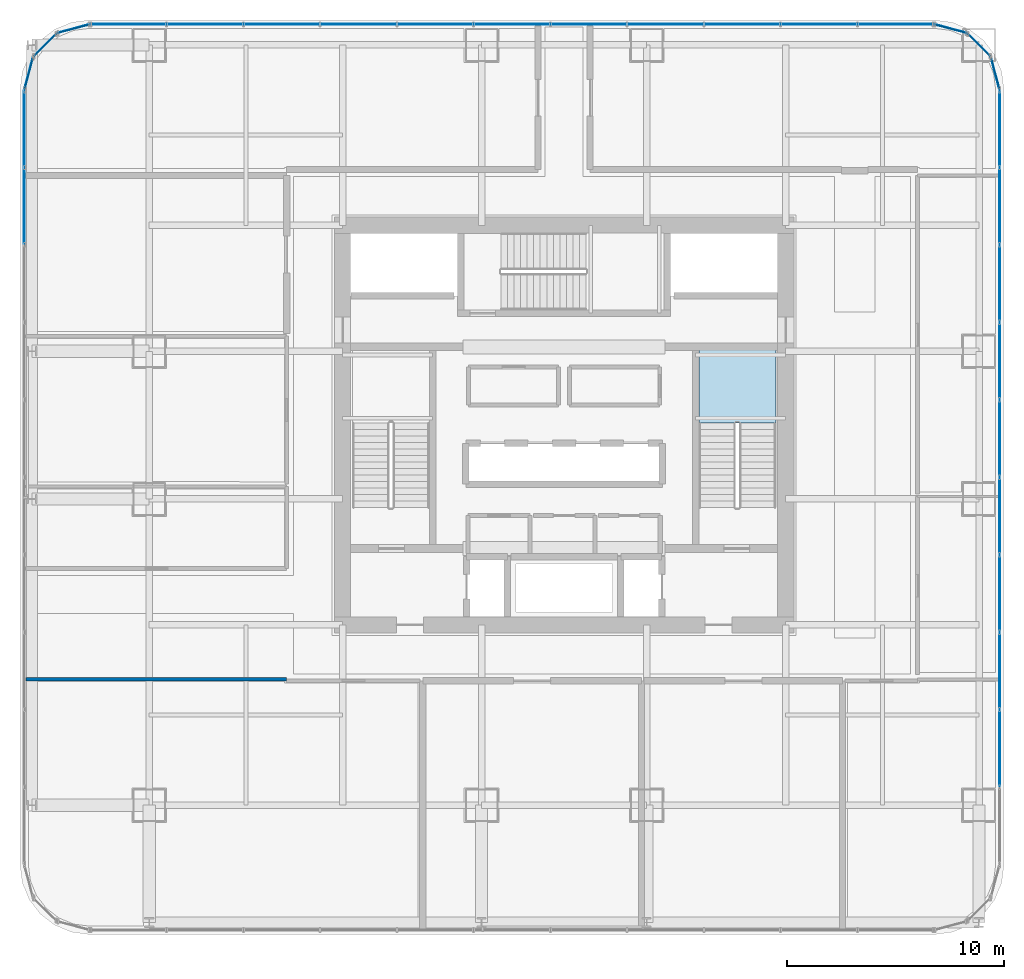
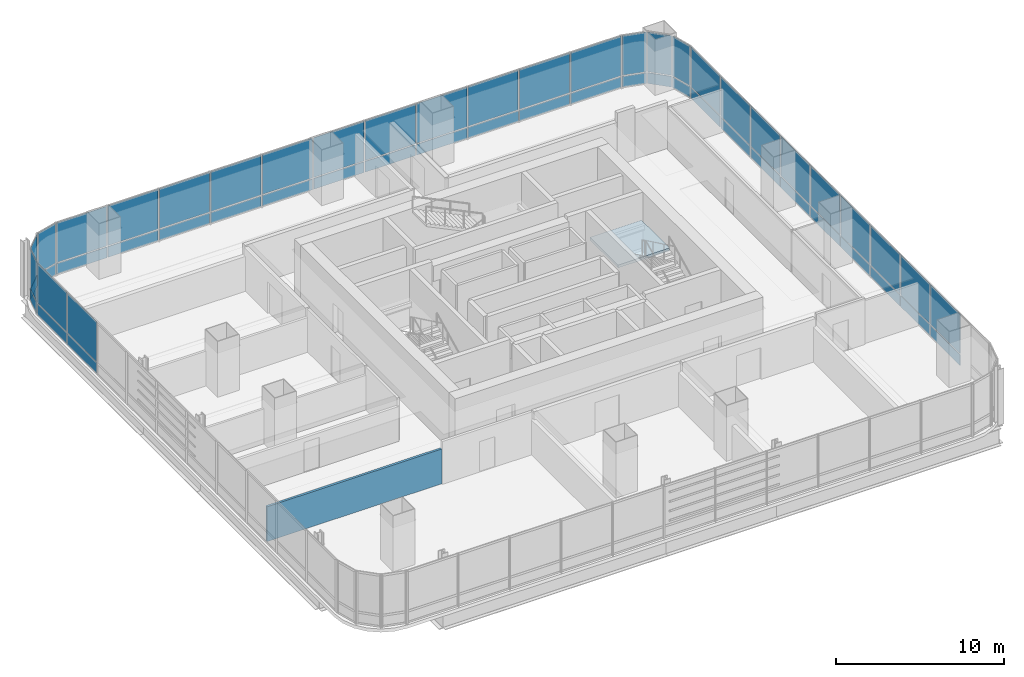
# One storey, part 27 of 36: 56 plates, 1 slab, 1 wall, 10 elements without a shape of their own.
"""IFC4 building model written with IfcOpenShell, lengths in metres."""

from ifc_helpers import new_model, si_unit, direction, frame, frame_2d, origin, origin_2d, place, context, subcontext, project, spatial, polyline, rectangle, outline, extrude, material, layer, layer_set, type_object, element, aggregate, save


model = new_model("IFC4")

# Units and contexts
model_context = context("Model", 3, precision=1e-05, world=origin(), true_north=direction((0.0, 1.0)))
body_context = subcontext(model_context, "Body", "Model", "MODEL_VIEW")
ifc_project = project(units=[si_unit("LENGTHUNIT", "METRE"), si_unit("AREAUNIT", "SQUARE_METRE"), si_unit("VOLUMEUNIT", "CUBIC_METRE"), si_unit("PLANEANGLEUNIT", "RADIAN"), si_unit("MASSUNIT", "GRAM", prefix="KILO")], contexts=[model_context])

# Site, building, storey
site_placement = place(None, origin())
site = spatial("IfcSite", under=ifc_project, at=site_placement, CompositionType="ELEMENT")
building_placement = place(site_placement, origin())
building = spatial("IfcBuilding", under=site, at=building_placement, Name="Punatoya Terracotta Tower", CompositionType="ELEMENT")
storey_placement = place(building_placement, frame((0.0, 0.0, 48.449951171875)))
storey = spatial("IfcBuildingStorey", under=building, at=storey_placement, Name="L10", CompositionType="ELEMENT", Elevation=48.449951171875)

# Curtain wall, plates
ifc_material_1 = material(Name="Aluminium 6063-T6 + Double Low-E Glass", Category="aluminium")
curtain_wall_type = type_object("IfcCurtainWallType", Name="CW-M1", PredefinedType="NOTDEFINED", material=ifc_material_1)
curtain_wall_1_placement = place(storey_placement, origin())
curtain_wall_1 = element("IfcCurtainWall", 1, at=curtain_wall_1_placement, inside=storey, type_object=curtain_wall_type, Name="L10 Curtain Wall CW-L10-E05-1", PredefinedType="NOTDEFINED")
ifc_material_2 = material(Name="Double Low-E Clear Vision Glass", Category="glass")
ifc_layer_1 = layer(ifc_material_2, 0.028076171875)
ifc_layer_set_1 = layer_set([ifc_layer_1], Name="Double Low-E Clear Vision Glass")
plate_type_1 = type_object("IfcPlateType", Name="PLT-GLZ-28", PredefinedType="CURTAIN_PANEL", material=ifc_layer_set_1)
plate_1_placement = place(storey_placement, frame((20.050048828125, -14.8857421875, 0.89013671875), z_axis=(0.0, 0.0, 1.0), x_axis=(0.0, 1.0, 0.0)))
plate_1 = element("IfcPlate", 2, at=plate_1_placement, type_object=plate_type_1, Name="CW-L10-E05-1 Vision Glass Panel 2", PredefinedType="CURTAIN_PANEL", context=body_context, shape_type="SweptSolid", body=[
    extrude(rectangle(XDim=3.482421875, YDim=0.028076171875, at=origin_2d()), origin(), (0.0, 0.0, 1.0), 2.8798828125),
])
plate_2_placement = place(storey_placement, frame((20.050048828125, -11.318359375, 0.89013671875), z_axis=(0.0, 0.0, 1.0), x_axis=(0.0, 1.0, 0.0)))
plate_2 = element("IfcPlate", 3, at=plate_2_placement, type_object=plate_type_1, Name="CW-L10-E05-1 Vision Glass Panel 3", PredefinedType="CURTAIN_PANEL", context=body_context, shape_type="SweptSolid", body=[
    extrude(rectangle(XDim=3.482421875, YDim=0.028076171875, at=origin_2d()), origin(), (0.0, 0.0, 1.0), 2.8798828125),
])
plate_3_placement = place(storey_placement, frame((20.050048828125, -7.751220703125, 0.89013671875), z_axis=(0.0, 0.0, 1.0), x_axis=(0.0, 1.0, 0.0)))
plate_3 = element("IfcPlate", 4, at=plate_3_placement, type_object=plate_type_1, Name="CW-L10-E05-1 Vision Glass Panel 4", PredefinedType="CURTAIN_PANEL", context=body_context, shape_type="SweptSolid", body=[
    extrude(rectangle(XDim=3.482421875, YDim=0.028076171875, at=origin_2d()), origin(), (0.0, 0.0, 1.0), 2.8798828125),
])
plate_4_placement = place(storey_placement, frame((20.050048828125, -4.18359375, 0.89013671875), z_axis=(0.0, 0.0, 1.0), x_axis=(0.0, 1.0, 0.0)))
plate_4 = element("IfcPlate", 5, at=plate_4_placement, type_object=plate_type_1, Name="CW-L10-E05-1 Vision Glass Panel 5", PredefinedType="CURTAIN_PANEL", context=body_context, shape_type="SweptSolid", body=[
    extrude(rectangle(XDim=3.482421875, YDim=0.028076171875, at=origin_2d()), origin(), (0.0, 0.0, 1.0), 2.8798828125),
])
plate_5_placement = place(storey_placement, frame((20.050048828125, -0.6162109375, 0.89013671875), z_axis=(0.0, 0.0, 1.0), x_axis=(0.0, 1.0, 0.0)))
plate_5 = element("IfcPlate", 6, at=plate_5_placement, type_object=plate_type_1, Name="CW-L10-E05-1 Vision Glass Panel 6", PredefinedType="CURTAIN_PANEL", context=body_context, shape_type="SweptSolid", body=[
    extrude(rectangle(XDim=3.482421875, YDim=0.028076171875, at=origin_2d()), origin(), (0.0, 0.0, 1.0), 2.8798828125),
])
plate_6_placement = place(storey_placement, frame((20.050048828125, 2.951171875, 0.89013671875), z_axis=(0.0, 0.0, 1.0), x_axis=(0.0, 1.0, 0.0)))
plate_6 = element("IfcPlate", 7, at=plate_6_placement, type_object=plate_type_1, Name="CW-L10-E05-1 Vision Glass Panel 7", PredefinedType="CURTAIN_PANEL", context=body_context, shape_type="SweptSolid", body=[
    extrude(rectangle(XDim=3.482421875, YDim=0.028076171875, at=origin_2d()), origin(), (0.0, 0.0, 1.0), 2.8798828125),
])
plate_7_placement = place(storey_placement, frame((20.050048828125, 6.518310546875, 0.89013671875), z_axis=(0.0, 0.0, 1.0), x_axis=(0.0, 1.0, 0.0)))
plate_7 = element("IfcPlate", 8, at=plate_7_placement, type_object=plate_type_1, Name="CW-L10-E05-1 Vision Glass Panel 8", PredefinedType="CURTAIN_PANEL", context=body_context, shape_type="SweptSolid", body=[
    extrude(rectangle(XDim=3.482421875, YDim=0.028076171875, at=origin_2d()), origin(), (0.0, 0.0, 1.0), 2.8798828125),
])
plate_8_placement = place(storey_placement, frame((20.050048828125, 10.085693359375, 0.89013671875), z_axis=(0.0, 0.0, 1.0), x_axis=(0.0, 1.0, 0.0)))
plate_8 = element("IfcPlate", 9, at=plate_8_placement, type_object=plate_type_1, Name="CW-L10-E05-1 Vision Glass Panel 9", PredefinedType="CURTAIN_PANEL", context=body_context, shape_type="SweptSolid", body=[
    extrude(rectangle(XDim=3.482421875, YDim=0.028076171875, at=origin_2d()), origin(), (0.0, 0.0, 1.0), 2.8798828125),
])
plate_9_placement = place(storey_placement, frame((20.050048828125, 13.6533203125, 0.89013671875), z_axis=(0.0, 0.0, 1.0), x_axis=(0.0, 1.0, 0.0)))
plate_9 = element("IfcPlate", 10, at=plate_9_placement, type_object=plate_type_1, Name="CW-L10-E05-1 Vision Glass Panel 10", PredefinedType="CURTAIN_PANEL", context=body_context, shape_type="SweptSolid", body=[
    extrude(rectangle(XDim=3.482421875, YDim=0.028076171875, at=origin_2d()), origin(), (0.0, 0.0, 1.0), 2.8798828125),
])

# Curtain wall, plate
curtain_wall_2_placement = place(storey_placement, origin())
curtain_wall_2 = element("IfcCurtainWall", 11, at=curtain_wall_2_placement, inside=storey, type_object=curtain_wall_type, Name="L10 Curtain Wall CW-L10-CRN06", PredefinedType="NOTDEFINED")
plate_10_placement = place(storey_placement, frame((19.848388671875, 16.193115234375, 0.89013671875), z_axis=(0.0, 0.0, 1.0), x_axis=(-0.257741620719, 0.966213877436, 0.0)))
plate_10 = element("IfcPlate", 12, at=plate_10_placement, type_object=plate_type_1, Name="CW-L10-CRN06 Vision Glass Panel 1", PredefinedType="CURTAIN_PANEL", context=body_context, shape_type="SweptSolid", body=[
    extrude(rectangle(XDim=1.47998046875, YDim=0.028076171875, at=origin_2d()), origin(), (0.0, 0.0, 1.0), 2.8798828125),
])

curtain_wall_3_placement = place(storey_placement, origin())
curtain_wall_3 = element("IfcCurtainWall", 13, at=curtain_wall_3_placement, inside=storey, type_object=curtain_wall_type, Name="L10 Curtain Wall CW-L10-CRN07", PredefinedType="NOTDEFINED")
plate_11_placement = place(storey_placement, frame((19.097900390625, 17.497802734375, 0.89013671875), z_axis=(0.0, 0.0, 1.0), x_axis=(-0.707106781187, 0.707106781187, 0.0)))
plate_11 = element("IfcPlate", 14, at=plate_11_placement, type_object=plate_type_1, Name="CW-L10-CRN07 Vision Glass Panel 1", PredefinedType="CURTAIN_PANEL", context=body_context, shape_type="SweptSolid", body=[
    extrude(rectangle(XDim=1.467041015625, YDim=0.028076171875, at=origin_2d()), origin(), (0.0, 0.0, 1.0), 2.8798828125),
])

curtain_wall_4_placement = place(storey_placement, origin())
curtain_wall_4 = element("IfcCurtainWall", 15, at=curtain_wall_4_placement, inside=storey, type_object=curtain_wall_type, Name="L10 Curtain Wall CW-L10-CRN08", PredefinedType="NOTDEFINED")
plate_12_placement = place(storey_placement, frame((17.79296875, 18.248291015625, 0.89013671875), z_axis=(0.0, 0.0, 1.0), x_axis=(-0.966213877436, 0.257741620719, 0.0)))
plate_12 = element("IfcPlate", 16, at=plate_12_placement, type_object=plate_type_1, Name="CW-L10-CRN08 Vision Glass Panel 1", PredefinedType="CURTAIN_PANEL", context=body_context, shape_type="SweptSolid", body=[
    extrude(rectangle(XDim=1.47998046875, YDim=0.028076171875, at=origin_2d()), origin(), (0.0, 0.0, 1.0), 2.8798828125),
])

# Curtain wall, plates
curtain_wall_5_placement = place(storey_placement, origin())
curtain_wall_5 = element("IfcCurtainWall", 17, at=curtain_wall_5_placement, inside=storey, type_object=curtain_wall_type, Name="L10 Curtain Wall CW-L10-N09-1", PredefinedType="NOTDEFINED")
plate_13_placement = place(storey_placement, frame((15.27001953125, 18.449951171875, 0.89013671875), z_axis=(0.0, 0.0, 1.0), x_axis=(-1.0, 0.0, 0.0)))
plate_13 = element("IfcPlate", 18, at=plate_13_placement, type_object=plate_type_1, Name="CW-L10-N09-1 Vision Glass Panel 1", PredefinedType="CURTAIN_PANEL", context=body_context, shape_type="SweptSolid", body=[
    extrude(rectangle(XDim=3.448974609375, YDim=0.028076171875, at=origin_2d()), origin(), (0.0, 0.0, 1.0), 2.8798828125),
])
plate_14_placement = place(storey_placement, frame((11.73583984375, 18.449951171875, 0.89013671875), z_axis=(0.0, 0.0, 1.0), x_axis=(-1.0, 0.0, 0.0)))
plate_14 = element("IfcPlate", 19, at=plate_14_placement, type_object=plate_type_1, Name="CW-L10-N09-1 Vision Glass Panel 2", PredefinedType="CURTAIN_PANEL", context=body_context, shape_type="SweptSolid", body=[
    extrude(rectangle(XDim=3.448974609375, YDim=0.028076171875, at=origin_2d()), origin(), (0.0, 0.0, 1.0), 2.8798828125),
])
plate_15_placement = place(storey_placement, frame((8.201904296875, 18.449951171875, 0.89013671875), z_axis=(0.0, 0.0, 1.0), x_axis=(-1.0, 0.0, 0.0)))
plate_15 = element("IfcPlate", 20, at=plate_15_placement, type_object=plate_type_1, Name="CW-L10-N09-1 Vision Glass Panel 3", PredefinedType="CURTAIN_PANEL", context=body_context, shape_type="SweptSolid", body=[
    extrude(rectangle(XDim=3.448974609375, YDim=0.028076171875, at=origin_2d()), origin(), (0.0, 0.0, 1.0), 2.8798828125),
])
plate_16_placement = place(storey_placement, frame((4.66796875, 18.449951171875, 0.89013671875), z_axis=(0.0, 0.0, 1.0), x_axis=(-1.0, 0.0, 0.0)))
plate_16 = element("IfcPlate", 21, at=plate_16_placement, type_object=plate_type_1, Name="CW-L10-N09-1 Vision Glass Panel 4", PredefinedType="CURTAIN_PANEL", context=body_context, shape_type="SweptSolid", body=[
    extrude(rectangle(XDim=3.448974609375, YDim=0.028076171875, at=origin_2d()), origin(), (0.0, 0.0, 1.0), 2.8798828125),
])
plate_17_placement = place(storey_placement, frame((1.134033203125, 18.449951171875, 0.89013671875), z_axis=(0.0, 0.0, 1.0), x_axis=(-1.0, 0.0, 0.0)))
plate_17 = element("IfcPlate", 22, at=plate_17_placement, type_object=plate_type_1, Name="CW-L10-N09-1 Vision Glass Panel 5", PredefinedType="CURTAIN_PANEL", context=body_context, shape_type="SweptSolid", body=[
    extrude(rectangle(XDim=3.448974609375, YDim=0.028076171875, at=origin_2d()), origin(), (0.0, 0.0, 1.0), 2.8798828125),
])
plate_18_placement = place(storey_placement, frame((-2.39990234375, 18.449951171875, 0.89013671875), z_axis=(0.0, 0.0, 1.0), x_axis=(-1.0, 0.0, 0.0)))
plate_18 = element("IfcPlate", 23, at=plate_18_placement, type_object=plate_type_1, Name="CW-L10-N09-1 Vision Glass Panel 6", PredefinedType="CURTAIN_PANEL", context=body_context, shape_type="SweptSolid", body=[
    extrude(rectangle(XDim=3.448974609375, YDim=0.028076171875, at=origin_2d()), origin(), (0.0, 0.0, 1.0), 2.8798828125),
])
plate_19_placement = place(storey_placement, frame((-5.93408203125, 18.449951171875, 0.89013671875), z_axis=(0.0, 0.0, 1.0), x_axis=(-1.0, 0.0, 0.0)))
plate_19 = element("IfcPlate", 24, at=plate_19_placement, type_object=plate_type_1, Name="CW-L10-N09-1 Vision Glass Panel 7", PredefinedType="CURTAIN_PANEL", context=body_context, shape_type="SweptSolid", body=[
    extrude(rectangle(XDim=3.448974609375, YDim=0.028076171875, at=origin_2d()), origin(), (0.0, 0.0, 1.0), 2.8798828125),
])
plate_20_placement = place(storey_placement, frame((-9.468017578125, 18.449951171875, 0.89013671875), z_axis=(0.0, 0.0, 1.0), x_axis=(-1.0, 0.0, 0.0)))
plate_20 = element("IfcPlate", 25, at=plate_20_placement, type_object=plate_type_1, Name="CW-L10-N09-1 Vision Glass Panel 8", PredefinedType="CURTAIN_PANEL", context=body_context, shape_type="SweptSolid", body=[
    extrude(rectangle(XDim=3.448974609375, YDim=0.028076171875, at=origin_2d()), origin(), (0.0, 0.0, 1.0), 2.8798828125),
])
plate_21_placement = place(storey_placement, frame((-13.001953125, 18.449951171875, 0.89013671875), z_axis=(0.0, 0.0, 1.0), x_axis=(-1.0, 0.0, 0.0)))
plate_21 = element("IfcPlate", 26, at=plate_21_placement, type_object=plate_type_1, Name="CW-L10-N09-1 Vision Glass Panel 9", PredefinedType="CURTAIN_PANEL", context=body_context, shape_type="SweptSolid", body=[
    extrude(rectangle(XDim=3.448974609375, YDim=0.028076171875, at=origin_2d()), origin(), (0.0, 0.0, 1.0), 2.8798828125),
])
plate_22_placement = place(storey_placement, frame((-16.535888671875, 18.449951171875, 0.89013671875), z_axis=(0.0, 0.0, 1.0), x_axis=(-1.0, 0.0, 0.0)))
plate_22 = element("IfcPlate", 27, at=plate_22_placement, type_object=plate_type_1, Name="CW-L10-N09-1 Vision Glass Panel 10", PredefinedType="CURTAIN_PANEL", context=body_context, shape_type="SweptSolid", body=[
    extrude(rectangle(XDim=3.448974609375, YDim=0.028076171875, at=origin_2d()), origin(), (0.0, 0.0, 1.0), 2.8798828125),
])
plate_23_placement = place(storey_placement, frame((-20.06982421875, 18.449951171875, 0.89013671875), z_axis=(0.0, 0.0, 1.0), x_axis=(-1.0, 0.0, 0.0)))
plate_23 = element("IfcPlate", 28, at=plate_23_placement, type_object=plate_type_1, Name="CW-L10-N09-1 Vision Glass Panel 11", PredefinedType="CURTAIN_PANEL", context=body_context, shape_type="SweptSolid", body=[
    extrude(rectangle(XDim=3.448974609375, YDim=0.028076171875, at=origin_2d()), origin(), (0.0, 0.0, 1.0), 2.8798828125),
])

# Curtain wall, plate
curtain_wall_6_placement = place(storey_placement, origin())
curtain_wall_6 = element("IfcCurtainWall", 29, at=curtain_wall_6_placement, inside=storey, type_object=curtain_wall_type, Name="L10 Curtain Wall CW-L10-CRN10", PredefinedType="NOTDEFINED")
plate_24_placement = place(storey_placement, frame((-22.593017578125, 18.248291015625, 0.89013671875), z_axis=(0.0, 0.0, 1.0), x_axis=(-0.966213877436, -0.257741620719, 0.0)))
plate_24 = element("IfcPlate", 30, at=plate_24_placement, type_object=plate_type_1, Name="CW-L10-CRN10 Vision Glass Panel 1", PredefinedType="CURTAIN_PANEL", context=body_context, shape_type="SweptSolid", body=[
    extrude(rectangle(XDim=1.47998046875, YDim=0.028076171875, at=origin_2d()), origin(), (0.0, 0.0, 1.0), 2.8798828125),
])

curtain_wall_7_placement = place(storey_placement, origin())
curtain_wall_7 = element("IfcCurtainWall", 31, at=curtain_wall_7_placement, inside=storey, type_object=curtain_wall_type, Name="L10 Curtain Wall CW-L10-CRN11", PredefinedType="NOTDEFINED")
plate_25_placement = place(storey_placement, frame((-23.89794921875, 17.497802734375, 0.89013671875), z_axis=(0.0, 0.0, 1.0), x_axis=(-0.707106781187, -0.707106781187, 0.0)))
plate_25 = element("IfcPlate", 32, at=plate_25_placement, type_object=plate_type_1, Name="CW-L10-CRN11 Vision Glass Panel 1", PredefinedType="CURTAIN_PANEL", context=body_context, shape_type="SweptSolid", body=[
    extrude(rectangle(XDim=1.467041015625, YDim=0.028076171875, at=origin_2d()), origin(), (0.0, 0.0, 1.0), 2.8798828125),
])

curtain_wall_8_placement = place(storey_placement, origin())
curtain_wall_8 = element("IfcCurtainWall", 33, at=curtain_wall_8_placement, inside=storey, type_object=curtain_wall_type, Name="L10 Curtain Wall CW-L10-CRN12", PredefinedType="NOTDEFINED")
plate_26_placement = place(storey_placement, frame((-24.648193359375, 16.193115234375, 0.89013671875), z_axis=(0.0, 0.0, 1.0), x_axis=(-0.257741620719, -0.966213877436, 0.0)))
plate_26 = element("IfcPlate", 34, at=plate_26_placement, type_object=plate_type_1, Name="CW-L10-CRN12 Vision Glass Panel 1", PredefinedType="CURTAIN_PANEL", context=body_context, shape_type="SweptSolid", body=[
    extrude(rectangle(XDim=1.47998046875, YDim=0.028076171875, at=origin_2d()), origin(), (0.0, 0.0, 1.0), 2.8798828125),
])

# Curtain wall, plates
curtain_wall_9_placement = place(storey_placement, origin())
curtain_wall_9 = element("IfcCurtainWall", 35, at=curtain_wall_9_placement, inside=storey, type_object=curtain_wall_type, Name="L10 Curtain Wall CW-L10-W13-1", PredefinedType="NOTDEFINED")
plate_27_placement = place(storey_placement, frame((-24.85009765625, 13.6533203125, 0.89013671875), z_axis=(0.0, 0.0, 1.0), x_axis=(0.0, -1.0, 0.0)))
plate_27 = element("IfcPlate", 36, at=plate_27_placement, type_object=plate_type_1, Name="CW-L10-W13-1 Vision Glass Panel 1", PredefinedType="CURTAIN_PANEL", context=body_context, shape_type="SweptSolid", body=[
    extrude(rectangle(XDim=3.482421875, YDim=0.028076171875, at=origin_2d()), origin(), (0.0, 0.0, 1.0), 2.8798828125),
])
plate_28_placement = place(storey_placement, frame((-24.85009765625, 10.085693359375, 0.89013671875), z_axis=(0.0, 0.0, 1.0), x_axis=(0.0, -1.0, 0.0)))
plate_28 = element("IfcPlate", 37, at=plate_28_placement, type_object=plate_type_1, Name="CW-L10-W13-1 Vision Glass Panel 2", PredefinedType="CURTAIN_PANEL", context=body_context, shape_type="SweptSolid", body=[
    extrude(rectangle(XDim=3.482421875, YDim=0.028076171875, at=origin_2d()), origin(), (0.0, 0.0, 1.0), 2.8798828125),
])

# Plate
ifc_material_3 = material(Name="Insulated Terracotta-Backed Spandrel Panel", Category="masonry")
ifc_layer_2 = layer(ifc_material_3, 0.044921875)
ifc_layer_set_2 = layer_set([ifc_layer_2], Name="Insulated Terracotta-Backed Spandrel Panel")
plate_type_2 = type_object("IfcPlateType", Name="PLT-SPN-45", PredefinedType="CURTAIN_PANEL", material=ifc_layer_set_2)
plate_29_placement = place(storey_placement, frame((20.050048828125, -14.8857421875, 0.0400390625), z_axis=(0.0, 0.0, 1.0), x_axis=(0.0, 1.0, 0.0)))
plate_29 = element("IfcPlate", 38, at=plate_29_placement, type_object=plate_type_2, Name="CW-L10-E05-1 Terracotta Spandrel Panel 2", PredefinedType="CURTAIN_PANEL", context=body_context, shape_type="SweptSolid", body=[
    extrude(rectangle(XDim=3.482421875, YDim=0.044921875, at=origin_2d()), origin(), (0.0, 0.0, 1.0), 0.77490234375),
])

plate_30_placement = place(storey_placement, frame((20.050048828125, -11.318359375, 0.0400390625), z_axis=(0.0, 0.0, 1.0), x_axis=(0.0, 1.0, 0.0)))
plate_30 = element("IfcPlate", 39, at=plate_30_placement, type_object=plate_type_2, Name="CW-L10-E05-1 Terracotta Spandrel Panel 3", PredefinedType="CURTAIN_PANEL", context=body_context, shape_type="SweptSolid", body=[
    extrude(rectangle(XDim=3.482421875, YDim=0.044921875, at=origin_2d()), origin(), (0.0, 0.0, 1.0), 0.77490234375),
])

plate_31_placement = place(storey_placement, frame((20.050048828125, -7.751220703125, 0.0400390625), z_axis=(0.0, 0.0, 1.0), x_axis=(0.0, 1.0, 0.0)))
plate_31 = element("IfcPlate", 40, at=plate_31_placement, type_object=plate_type_2, Name="CW-L10-E05-1 Terracotta Spandrel Panel 4", PredefinedType="CURTAIN_PANEL", context=body_context, shape_type="SweptSolid", body=[
    extrude(rectangle(XDim=3.482421875, YDim=0.044921875, at=origin_2d()), origin(), (0.0, 0.0, 1.0), 0.77490234375),
])

plate_32_placement = place(storey_placement, frame((20.050048828125, -4.18359375, 0.0400390625), z_axis=(0.0, 0.0, 1.0), x_axis=(0.0, 1.0, 0.0)))
plate_32 = element("IfcPlate", 41, at=plate_32_placement, type_object=plate_type_2, Name="CW-L10-E05-1 Terracotta Spandrel Panel 5", PredefinedType="CURTAIN_PANEL", context=body_context, shape_type="SweptSolid", body=[
    extrude(rectangle(XDim=3.482421875, YDim=0.044921875, at=origin_2d()), origin(), (0.0, 0.0, 1.0), 0.77490234375),
])

plate_33_placement = place(storey_placement, frame((20.050048828125, -0.6162109375, 0.0400390625), z_axis=(0.0, 0.0, 1.0), x_axis=(0.0, 1.0, 0.0)))
plate_33 = element("IfcPlate", 42, at=plate_33_placement, type_object=plate_type_2, Name="CW-L10-E05-1 Terracotta Spandrel Panel 6", PredefinedType="CURTAIN_PANEL", context=body_context, shape_type="SweptSolid", body=[
    extrude(rectangle(XDim=3.482421875, YDim=0.044921875, at=origin_2d()), origin(), (0.0, 0.0, 1.0), 0.77490234375),
])

plate_34_placement = place(storey_placement, frame((20.050048828125, 2.951171875, 0.0400390625), z_axis=(0.0, 0.0, 1.0), x_axis=(0.0, 1.0, 0.0)))
plate_34 = element("IfcPlate", 43, at=plate_34_placement, type_object=plate_type_2, Name="CW-L10-E05-1 Terracotta Spandrel Panel 7", PredefinedType="CURTAIN_PANEL", context=body_context, shape_type="SweptSolid", body=[
    extrude(rectangle(XDim=3.482421875, YDim=0.044921875, at=origin_2d()), origin(), (0.0, 0.0, 1.0), 0.77490234375),
])

plate_35_placement = place(storey_placement, frame((20.050048828125, 6.518310546875, 0.0400390625), z_axis=(0.0, 0.0, 1.0), x_axis=(0.0, 1.0, 0.0)))
plate_35 = element("IfcPlate", 44, at=plate_35_placement, type_object=plate_type_2, Name="CW-L10-E05-1 Terracotta Spandrel Panel 8", PredefinedType="CURTAIN_PANEL", context=body_context, shape_type="SweptSolid", body=[
    extrude(rectangle(XDim=3.482421875, YDim=0.044921875, at=origin_2d()), origin(), (0.0, 0.0, 1.0), 0.77490234375),
])

plate_36_placement = place(storey_placement, frame((20.050048828125, 10.085693359375, 0.0400390625), z_axis=(0.0, 0.0, 1.0), x_axis=(0.0, 1.0, 0.0)))
plate_36 = element("IfcPlate", 45, at=plate_36_placement, type_object=plate_type_2, Name="CW-L10-E05-1 Terracotta Spandrel Panel 9", PredefinedType="CURTAIN_PANEL", context=body_context, shape_type="SweptSolid", body=[
    extrude(rectangle(XDim=3.482421875, YDim=0.044921875, at=origin_2d()), origin(), (0.0, 0.0, 1.0), 0.77490234375),
])

plate_37_placement = place(storey_placement, frame((20.050048828125, 13.6533203125, 0.0400390625), z_axis=(0.0, 0.0, 1.0), x_axis=(0.0, 1.0, 0.0)))
plate_37 = element("IfcPlate", 46, at=plate_37_placement, type_object=plate_type_2, Name="CW-L10-E05-1 Terracotta Spandrel Panel 10", PredefinedType="CURTAIN_PANEL", context=body_context, shape_type="SweptSolid", body=[
    extrude(rectangle(XDim=3.482421875, YDim=0.044921875, at=origin_2d()), origin(), (0.0, 0.0, 1.0), 0.77490234375),
])

aggregate(curtain_wall_1, [plate_29, plate_1, plate_30, plate_2, plate_31, plate_3, plate_32, plate_4, plate_33, plate_5, plate_34, plate_6, plate_35, plate_7, plate_36, plate_8, plate_37, plate_9])

plate_38_placement = place(storey_placement, frame((19.848388671875, 16.193115234375, 0.0400390625), z_axis=(0.0, 0.0, 1.0), x_axis=(-0.257741620719, 0.966213877436, 0.0)))
plate_38 = element("IfcPlate", 47, at=plate_38_placement, type_object=plate_type_2, Name="CW-L10-CRN06 Terracotta Spandrel Panel 1", PredefinedType="CURTAIN_PANEL", context=body_context, shape_type="SweptSolid", body=[
    extrude(rectangle(XDim=1.47998046875, YDim=0.044921875, at=origin_2d()), origin(), (0.0, 0.0, 1.0), 0.77490234375),
])

aggregate(curtain_wall_2, [plate_38, plate_10])

plate_39_placement = place(storey_placement, frame((19.097900390625, 17.497802734375, 0.0400390625), z_axis=(0.0, 0.0, 1.0), x_axis=(-0.707106781187, 0.707106781187, 0.0)))
plate_39 = element("IfcPlate", 48, at=plate_39_placement, type_object=plate_type_2, Name="CW-L10-CRN07 Terracotta Spandrel Panel 1", PredefinedType="CURTAIN_PANEL", context=body_context, shape_type="SweptSolid", body=[
    extrude(rectangle(XDim=1.467041015625, YDim=0.044921875, at=origin_2d()), origin(), (0.0, 0.0, 1.0), 0.77490234375),
])

aggregate(curtain_wall_3, [plate_39, plate_11])

plate_40_placement = place(storey_placement, frame((17.79296875, 18.248291015625, 0.0400390625), z_axis=(0.0, 0.0, 1.0), x_axis=(-0.966213877436, 0.257741620719, 0.0)))
plate_40 = element("IfcPlate", 49, at=plate_40_placement, type_object=plate_type_2, Name="CW-L10-CRN08 Terracotta Spandrel Panel 1", PredefinedType="CURTAIN_PANEL", context=body_context, shape_type="SweptSolid", body=[
    extrude(rectangle(XDim=1.47998046875, YDim=0.044921875, at=origin_2d()), origin(), (0.0, 0.0, 1.0), 0.77490234375),
])

aggregate(curtain_wall_4, [plate_40, plate_12])

plate_41_placement = place(storey_placement, frame((15.27001953125, 18.449951171875, 0.0400390625), z_axis=(0.0, 0.0, 1.0), x_axis=(-1.0, 0.0, 0.0)))
plate_41 = element("IfcPlate", 50, at=plate_41_placement, type_object=plate_type_2, Name="CW-L10-N09-1 Terracotta Spandrel Panel 1", PredefinedType="CURTAIN_PANEL", context=body_context, shape_type="SweptSolid", body=[
    extrude(rectangle(XDim=3.448974609375, YDim=0.044921875, at=origin_2d()), origin(), (0.0, 0.0, 1.0), 0.77490234375),
])

plate_42_placement = place(storey_placement, frame((11.73583984375, 18.449951171875, 0.0400390625), z_axis=(0.0, 0.0, 1.0), x_axis=(-1.0, 0.0, 0.0)))
plate_42 = element("IfcPlate", 51, at=plate_42_placement, type_object=plate_type_2, Name="CW-L10-N09-1 Terracotta Spandrel Panel 2", PredefinedType="CURTAIN_PANEL", context=body_context, shape_type="SweptSolid", body=[
    extrude(rectangle(XDim=3.448974609375, YDim=0.044921875, at=origin_2d()), origin(), (0.0, 0.0, 1.0), 0.77490234375),
])

plate_43_placement = place(storey_placement, frame((8.201904296875, 18.449951171875, 0.0400390625), z_axis=(0.0, 0.0, 1.0), x_axis=(-1.0, 0.0, 0.0)))
plate_43 = element("IfcPlate", 52, at=plate_43_placement, type_object=plate_type_2, Name="CW-L10-N09-1 Terracotta Spandrel Panel 3", PredefinedType="CURTAIN_PANEL", context=body_context, shape_type="SweptSolid", body=[
    extrude(rectangle(XDim=3.448974609375, YDim=0.044921875, at=origin_2d()), origin(), (0.0, 0.0, 1.0), 0.77490234375),
])

plate_44_placement = place(storey_placement, frame((4.66796875, 18.449951171875, 0.0400390625), z_axis=(0.0, 0.0, 1.0), x_axis=(-1.0, 0.0, 0.0)))
plate_44 = element("IfcPlate", 53, at=plate_44_placement, type_object=plate_type_2, Name="CW-L10-N09-1 Terracotta Spandrel Panel 4", PredefinedType="CURTAIN_PANEL", context=body_context, shape_type="SweptSolid", body=[
    extrude(rectangle(XDim=3.448974609375, YDim=0.044921875, at=origin_2d()), origin(), (0.0, 0.0, 1.0), 0.77490234375),
])

plate_45_placement = place(storey_placement, frame((1.134033203125, 18.449951171875, 0.0400390625), z_axis=(0.0, 0.0, 1.0), x_axis=(-1.0, 0.0, 0.0)))
plate_45 = element("IfcPlate", 54, at=plate_45_placement, type_object=plate_type_2, Name="CW-L10-N09-1 Terracotta Spandrel Panel 5", PredefinedType="CURTAIN_PANEL", context=body_context, shape_type="SweptSolid", body=[
    extrude(rectangle(XDim=3.448974609375, YDim=0.044921875, at=origin_2d()), origin(), (0.0, 0.0, 1.0), 0.77490234375),
])

plate_46_placement = place(storey_placement, frame((-2.39990234375, 18.449951171875, 0.0400390625), z_axis=(0.0, 0.0, 1.0), x_axis=(-1.0, 0.0, 0.0)))
plate_46 = element("IfcPlate", 55, at=plate_46_placement, type_object=plate_type_2, Name="CW-L10-N09-1 Terracotta Spandrel Panel 6", PredefinedType="CURTAIN_PANEL", context=body_context, shape_type="SweptSolid", body=[
    extrude(rectangle(XDim=3.448974609375, YDim=0.044921875, at=origin_2d()), origin(), (0.0, 0.0, 1.0), 0.77490234375),
])

plate_47_placement = place(storey_placement, frame((-5.93408203125, 18.449951171875, 0.0400390625), z_axis=(0.0, 0.0, 1.0), x_axis=(-1.0, 0.0, 0.0)))
plate_47 = element("IfcPlate", 56, at=plate_47_placement, type_object=plate_type_2, Name="CW-L10-N09-1 Terracotta Spandrel Panel 7", PredefinedType="CURTAIN_PANEL", context=body_context, shape_type="SweptSolid", body=[
    extrude(rectangle(XDim=3.448974609375, YDim=0.044921875, at=origin_2d()), origin(), (0.0, 0.0, 1.0), 0.77490234375),
])

plate_48_placement = place(storey_placement, frame((-9.468017578125, 18.449951171875, 0.0400390625), z_axis=(0.0, 0.0, 1.0), x_axis=(-1.0, 0.0, 0.0)))
plate_48 = element("IfcPlate", 57, at=plate_48_placement, type_object=plate_type_2, Name="CW-L10-N09-1 Terracotta Spandrel Panel 8", PredefinedType="CURTAIN_PANEL", context=body_context, shape_type="SweptSolid", body=[
    extrude(rectangle(XDim=3.448974609375, YDim=0.044921875, at=origin_2d()), origin(), (0.0, 0.0, 1.0), 0.77490234375),
])

plate_49_placement = place(storey_placement, frame((-13.001953125, 18.449951171875, 0.0400390625), z_axis=(0.0, 0.0, 1.0), x_axis=(-1.0, 0.0, 0.0)))
plate_49 = element("IfcPlate", 58, at=plate_49_placement, type_object=plate_type_2, Name="CW-L10-N09-1 Terracotta Spandrel Panel 9", PredefinedType="CURTAIN_PANEL", context=body_context, shape_type="SweptSolid", body=[
    extrude(rectangle(XDim=3.448974609375, YDim=0.044921875, at=origin_2d()), origin(), (0.0, 0.0, 1.0), 0.77490234375),
])

plate_50_placement = place(storey_placement, frame((-16.535888671875, 18.449951171875, 0.0400390625), z_axis=(0.0, 0.0, 1.0), x_axis=(-1.0, 0.0, 0.0)))
plate_50 = element("IfcPlate", 59, at=plate_50_placement, type_object=plate_type_2, Name="CW-L10-N09-1 Terracotta Spandrel Panel 10", PredefinedType="CURTAIN_PANEL", context=body_context, shape_type="SweptSolid", body=[
    extrude(rectangle(XDim=3.448974609375, YDim=0.044921875, at=origin_2d()), origin(), (0.0, 0.0, 1.0), 0.77490234375),
])

plate_51_placement = place(storey_placement, frame((-20.06982421875, 18.449951171875, 0.0400390625), z_axis=(0.0, 0.0, 1.0), x_axis=(-1.0, 0.0, 0.0)))
plate_51 = element("IfcPlate", 60, at=plate_51_placement, type_object=plate_type_2, Name="CW-L10-N09-1 Terracotta Spandrel Panel 11", PredefinedType="CURTAIN_PANEL", context=body_context, shape_type="SweptSolid", body=[
    extrude(rectangle(XDim=3.448974609375, YDim=0.044921875, at=origin_2d()), origin(), (0.0, 0.0, 1.0), 0.77490234375),
])

aggregate(curtain_wall_5, [plate_41, plate_13, plate_42, plate_14, plate_43, plate_15, plate_44, plate_16, plate_45, plate_17, plate_46, plate_18, plate_47, plate_19, plate_48, plate_20, plate_49, plate_21, plate_50, plate_22, plate_51, plate_23])

plate_52_placement = place(storey_placement, frame((-22.593017578125, 18.248291015625, 0.0400390625), z_axis=(0.0, 0.0, 1.0), x_axis=(-0.966213877436, -0.257741620719, 0.0)))
plate_52 = element("IfcPlate", 61, at=plate_52_placement, type_object=plate_type_2, Name="CW-L10-CRN10 Terracotta Spandrel Panel 1", PredefinedType="CURTAIN_PANEL", context=body_context, shape_type="SweptSolid", body=[
    extrude(rectangle(XDim=1.47998046875, YDim=0.044921875, at=origin_2d()), origin(), (0.0, 0.0, 1.0), 0.77490234375),
])

aggregate(curtain_wall_6, [plate_52, plate_24])

plate_53_placement = place(storey_placement, frame((-23.89794921875, 17.497802734375, 0.0400390625), z_axis=(0.0, 0.0, 1.0), x_axis=(-0.707106781187, -0.707106781187, 0.0)))
plate_53 = element("IfcPlate", 62, at=plate_53_placement, type_object=plate_type_2, Name="CW-L10-CRN11 Terracotta Spandrel Panel 1", PredefinedType="CURTAIN_PANEL", context=body_context, shape_type="SweptSolid", body=[
    extrude(rectangle(XDim=1.467041015625, YDim=0.044921875, at=origin_2d()), origin(), (0.0, 0.0, 1.0), 0.77490234375),
])

aggregate(curtain_wall_7, [plate_53, plate_25])

plate_54_placement = place(storey_placement, frame((-24.648193359375, 16.193115234375, 0.0400390625), z_axis=(0.0, 0.0, 1.0), x_axis=(-0.257741620719, -0.966213877436, 0.0)))
plate_54 = element("IfcPlate", 63, at=plate_54_placement, type_object=plate_type_2, Name="CW-L10-CRN12 Terracotta Spandrel Panel 1", PredefinedType="CURTAIN_PANEL", context=body_context, shape_type="SweptSolid", body=[
    extrude(rectangle(XDim=1.47998046875, YDim=0.044921875, at=origin_2d()), origin(), (0.0, 0.0, 1.0), 0.77490234375),
])

aggregate(curtain_wall_8, [plate_54, plate_26])

plate_55_placement = place(storey_placement, frame((-24.85009765625, 13.6533203125, 0.0400390625), z_axis=(0.0, 0.0, 1.0), x_axis=(0.0, -1.0, 0.0)))
plate_55 = element("IfcPlate", 64, at=plate_55_placement, type_object=plate_type_2, Name="CW-L10-W13-1 Terracotta Spandrel Panel 1", PredefinedType="CURTAIN_PANEL", context=body_context, shape_type="SweptSolid", body=[
    extrude(rectangle(XDim=3.482421875, YDim=0.044921875, at=origin_2d()), origin(), (0.0, 0.0, 1.0), 0.77490234375),
])

plate_56_placement = place(storey_placement, frame((-24.85009765625, 10.085693359375, 0.0400390625), z_axis=(0.0, 0.0, 1.0), x_axis=(0.0, -1.0, 0.0)))
plate_56 = element("IfcPlate", 65, at=plate_56_placement, type_object=plate_type_2, Name="CW-L10-W13-1 Terracotta Spandrel Panel 2", PredefinedType="CURTAIN_PANEL", context=body_context, shape_type="SweptSolid", body=[
    extrude(rectangle(XDim=3.482421875, YDim=0.044921875, at=origin_2d()), origin(), (0.0, 0.0, 1.0), 0.77490234375),
])

aggregate(curtain_wall_9, [plate_55, plate_27, plate_56, plate_28])

# Stair, slab
ifc_material_4 = material(Name="Concrete C40/50", Category="concrete")
stair_type = type_object("IfcStairType", Name="STR-LOB-1650", PredefinedType="HALF_TURN_STAIR", material=ifc_material_4)
stair_placement = place(storey_placement, origin())
stair = element("IfcStair", 66, at=stair_placement, inside=storey, type_object=stair_type, Name="L10 Protected Core Exit Stair ST-2", PredefinedType="HALF_TURN_STAIR")
ifc_layer_3 = layer(ifc_material_4, 0.179931640625)
ifc_layer_set_3 = layer_set([ifc_layer_3], Name="Concrete C40/50")
slab_type = type_object("IfcSlabType", Name="SLB-LND-180", PredefinedType="LANDING", material=ifc_layer_set_3)
slab_placement = place(storey_placement, frame((0.0, 0.0, 1.824951171875)))
slab = element("IfcSlab", 67, at=slab_placement, type_object=slab_type, Name="ST-2 landing 1", PredefinedType="LANDING", context=body_context, shape_type="SweptSolid", body=[
    extrude(outline(polyline([(9.75, 0.10009765625), (9.75, 3.449951171875), (6.199951171875, 3.449951171875), (6.199951171875, 0.10009765625), (9.75, 0.10009765625)])), origin(), (0.0, 0.0, 1.0), 0.2001953125),
])
aggregate(stair, [slab])

# Wall
ifc_material_5 = material(Name="Masonry Blockwork + Ceramic Tile", Category="masonry")
ifc_layer_4 = layer(ifc_material_5, 0.159912109375)
ifc_layer_set_4 = layer_set([ifc_layer_4], Name="Masonry Blockwork + Ceramic Tile")
wall_type = type_object("IfcWallType", Name="WL-WET-160", PredefinedType="PARTITIONING", material=ifc_layer_set_4)
wall_placement = place(storey_placement, frame((-24.77001953125, -11.7099609375, 0.0), z_axis=(0.0, 0.0, 1.0), x_axis=(1.0, 0.0, 0.0)))
element("IfcWall", 68, at=wall_placement, inside=storey, type_object=wall_type, Name="L10 Catering Tea Pantry Partition 21", PredefinedType="PARTITIONING", context=body_context, shape_type="SweptSolid", body=[
    extrude(rectangle(XDim=12.0, YDim=0.159912109375, at=frame_2d((6.0, 0.0))), origin(), (0.0, 0.0, 1.0), 2.524169921875),
])

save(model, "model.ifc")
